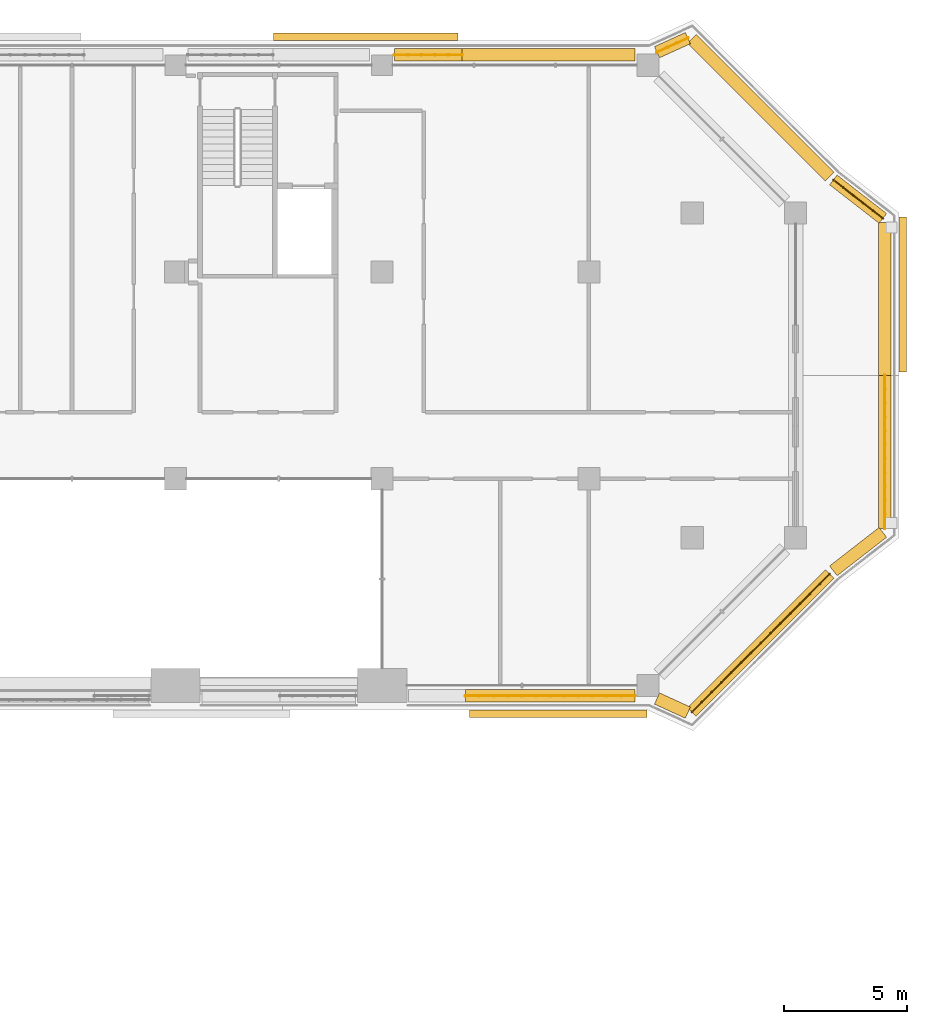
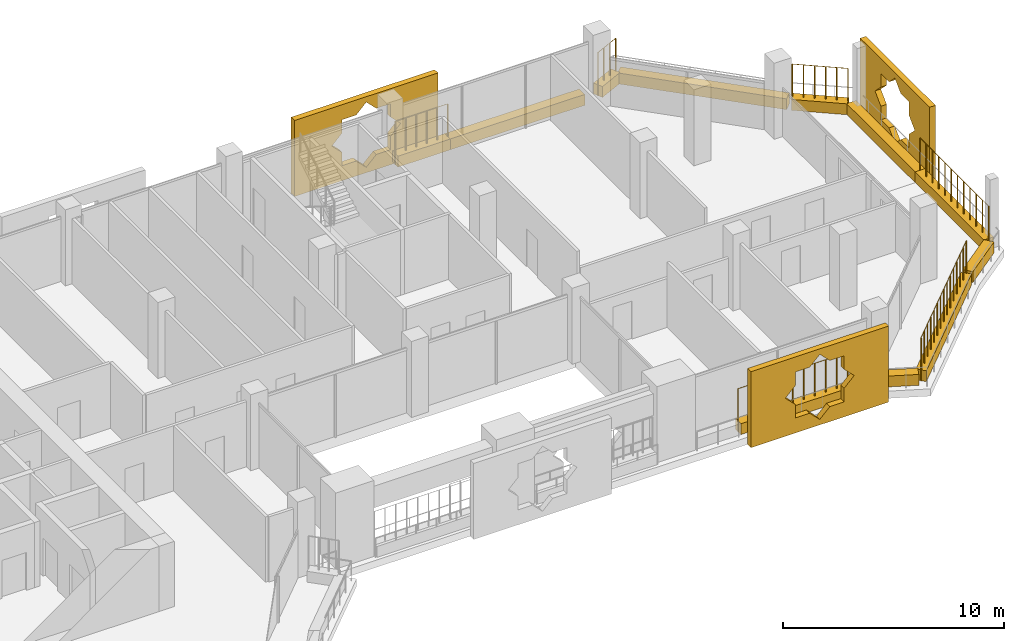
# One storey, part 23 of 23: 14 coverings, 6 railings.
"""IFC4 building model written with IfcOpenShell, lengths in metres."""

from ifc_helpers import new_model, si_unit, direction, frame, origin, origin_2d, place, context, subcontext, project, spatial, polyline, rectangle, circle, outline, extrude, material, material_profile, profile_set, type_object, element, save


model = new_model("IFC4")

# Units and contexts
model_context = context("Model", 3, precision=1e-05, world=origin(), true_north=direction((0.0, 1.0)))
body_context = subcontext(model_context, "Body", "Model", "MODEL_VIEW")
ifc_project = project(units=[si_unit("LENGTHUNIT", "METRE"), si_unit("AREAUNIT", "SQUARE_METRE"), si_unit("VOLUMEUNIT", "CUBIC_METRE"), si_unit("PLANEANGLEUNIT", "RADIAN"), si_unit("MASSUNIT", "GRAM", prefix="KILO")], contexts=[model_context])

# Site, building, storey
site_placement = place(None, origin())
site = spatial("IfcSite", under=ifc_project, at=site_placement, CompositionType="ELEMENT")
building_placement = place(site_placement, origin())
building = spatial("IfcBuilding", under=site, at=building_placement, Name="Kawkab Arch Medical Tower", CompositionType="ELEMENT")
storey_placement = place(building_placement, frame((0.0, 0.0, 222.199951171875)))
storey = spatial("IfcBuildingStorey", under=building, at=storey_placement, Name="L51", CompositionType="ELEMENT", Elevation=222.199951171875)

# Coverings
ifc_material_1 = material(Name="Bronze anodised aluminium mashrabiya panel, eight-point star pattern", Category="aluminium")
ifc_material_profile_1 = material_profile(ifc_material_1, outline(polyline([(-3.14990234375, -2.10009765625), (3.14990234375, -2.10009765625), (3.14990234375, 2.10009765625), (-3.14990234375, 2.10009765625), (-3.14990234375, -2.10009765625)]), holes=[polyline([(1.800048828125, 0.0), (1.272705078125, 0.527099609375), (1.272705078125, 1.272705078125), (0.527099609375, 1.272705078125), (0.0, 1.800048828125), (-0.527099609375, 1.272705078125), (-1.272705078125, 1.272705078125), (-1.272705078125, 0.527099609375), (-1.800048828125, 0.0), (-1.272705078125, -0.527099609375), (-1.272705078125, -1.272705078125), (-0.527099609375, -1.272705078125), (0.0, -1.800048828125), (0.527099609375, -1.272705078125), (1.272705078125, -1.272705078125), (1.272705078125, -0.527099609375), (1.800048828125, 0.0)])]), Name="Mashrabiya panel 6300x4200")
ifc_profile_set_1 = profile_set([ifc_material_profile_1], Name="Bronze anodised aluminium mashrabiya panel, eight-point star pattern")
covering_type_1 = type_object("IfcCoveringType", Name="Mashrabiya panel 6300 x 4200", PredefinedType="USERDEFINED", material=ifc_profile_set_1)
covering_1_placement = place(storey_placement, frame((71.39990234375, -9.322509765625, 1.699951171875), z_axis=(1.0, 0.0, 0.0), x_axis=(0.0, 1.0, 0.0)))
element("IfcCovering", 1, at=covering_1_placement, inside=storey, type_object=covering_type_1, Name="Mashrabiya panel L51.LOG-01-02.9", ObjectType="SCREEN", PredefinedType="USERDEFINED", context=body_context, shape_type="SweptSolid", body=[
    extrude(outline(polyline([(-3.14990234375, -2.10009765625), (3.14990234375, -2.10009765625), (3.14990234375, 2.10009765625), (-3.14990234375, 2.10009765625), (-3.14990234375, -2.10009765625)]), holes=[polyline([(1.800048828125, 0.0), (1.272705078125, 0.527099609375), (1.272705078125, 1.272705078125), (0.527099609375, 1.272705078125), (0.0, 1.800048828125), (-0.527099609375, 1.272705078125), (-1.272705078125, 1.272705078125), (-1.272705078125, 0.527099609375), (-1.800048828125, 0.0), (-1.272705078125, -0.527099609375), (-1.272705078125, -1.272705078125), (-0.527099609375, -1.272705078125), (0.0, -1.800048828125), (0.527099609375, -1.272705078125), (1.272705078125, -1.272705078125), (1.272705078125, -0.527099609375), (1.800048828125, 0.0)])]), origin(), (0.0, 0.0, 1.0), 0.300048828125),
])
ifc_material_2 = material(Name="Bronze anodised aluminium mashrabiya panel, eight-point star pattern", Category="aluminium")
ifc_material_profile_2 = material_profile(ifc_material_2, outline(polyline([(-3.60009765625, -2.10009765625), (3.60009765625, -2.10009765625), (3.60009765625, 2.10009765625), (-3.60009765625, 2.10009765625), (-3.60009765625, -2.10009765625)]), holes=[polyline([(1.800048828125, 0.0), (1.272705078125, 0.527099609375), (1.272705078125, 1.272705078125), (0.527099609375, 1.272705078125), (0.0, 1.800048828125), (-0.527099609375, 1.272705078125), (-1.272705078125, 1.272705078125), (-1.272705078125, 0.527099609375), (-1.800048828125, 0.0), (-1.272705078125, -0.527099609375), (-1.272705078125, -1.272705078125), (-0.527099609375, -1.272705078125), (0.0, -1.800048828125), (0.527099609375, -1.272705078125), (1.272705078125, -1.272705078125), (1.272705078125, -0.527099609375), (1.800048828125, 0.0)])]), Name="Mashrabiya panel 7200x4200")
ifc_profile_set_2 = profile_set([ifc_material_profile_2], Name="Bronze anodised aluminium mashrabiya panel, eight-point star pattern")
covering_type_2 = type_object("IfcCoveringType", Name="Mashrabiya panel 7200 x 4200", PredefinedType="USERDEFINED", material=ifc_profile_set_2)
covering_2_placement = place(storey_placement, frame((57.5546875, -26.199951171875, 1.699951171875), z_axis=(0.0, -1.0, 0.0), x_axis=(1.0, 0.0, 0.0)))
element("IfcCovering", 2, at=covering_2_placement, inside=storey, type_object=covering_type_2, Name="Mashrabiya panel L51.LOG-01-02.10", ObjectType="SCREEN", PredefinedType="USERDEFINED", context=body_context, shape_type="SweptSolid", body=[
    extrude(outline(polyline([(-3.60009765625, -2.10009765625), (3.60009765625, -2.10009765625), (3.60009765625, 2.10009765625), (-3.60009765625, 2.10009765625), (-3.60009765625, -2.10009765625)]), holes=[polyline([(1.800048828125, 0.0), (1.272705078125, 0.527099609375), (1.272705078125, 1.272705078125), (0.527099609375, 1.272705078125), (0.0, 1.800048828125), (-0.527099609375, 1.272705078125), (-1.272705078125, 1.272705078125), (-1.272705078125, 0.527099609375), (-1.800048828125, 0.0), (-1.272705078125, -0.527099609375), (-1.272705078125, -1.272705078125), (-0.527099609375, -1.272705078125), (0.0, -1.800048828125), (0.527099609375, -1.272705078125), (1.272705078125, -1.272705078125), (1.272705078125, -0.527099609375), (1.800048828125, 0.0)])]), origin(), (0.0, 0.0, 1.0), 0.300048828125),
])
ifc_material_3 = material(Name="Bronze anodised aluminium mashrabiya panel, eight-point star pattern", Category="aluminium")
ifc_material_profile_3 = material_profile(ifc_material_3, outline(polyline([(-3.75, -2.10009765625), (3.75, -2.10009765625), (3.75, 2.10009765625), (-3.75, 2.10009765625), (-3.75, -2.10009765625)]), holes=[polyline([(1.800048828125, 0.0), (1.272705078125, 0.527099609375), (1.272705078125, 1.272705078125), (0.527099609375, 1.272705078125), (0.0, 1.800048828125), (-0.527099609375, 1.272705078125), (-1.272705078125, 1.272705078125), (-1.272705078125, 0.527099609375), (-1.800048828125, 0.0), (-1.272705078125, -0.527099609375), (-1.272705078125, -1.272705078125), (-0.527099609375, -1.272705078125), (0.0, -1.800048828125), (0.527099609375, -1.272705078125), (1.272705078125, -1.272705078125), (1.272705078125, -0.527099609375), (1.800048828125, 0.0)])]), Name="Mashrabiya panel 7500x4200")
ifc_profile_set_3 = profile_set([ifc_material_profile_3], Name="Bronze anodised aluminium mashrabiya panel, eight-point star pattern")
covering_type_3 = type_object("IfcCoveringType", Name="Mashrabiya panel 7500 x 4200", PredefinedType="USERDEFINED", material=ifc_profile_set_3)
covering_3_placement = place(storey_placement, frame((49.726318359375, 1.0, 1.699951171875), z_axis=(0.0, 1.0, 0.0), x_axis=(-1.0, 0.0, 0.0)))
element("IfcCovering", 3, at=covering_3_placement, inside=storey, type_object=covering_type_3, Name="Mashrabiya panel L51.LOG-01-02.8", ObjectType="SCREEN", PredefinedType="USERDEFINED", context=body_context, shape_type="SweptSolid", body=[
    extrude(outline(polyline([(-3.75, -2.10009765625), (3.75, -2.10009765625), (3.75, 2.10009765625), (-3.75, 2.10009765625), (-3.75, -2.10009765625)]), holes=[polyline([(1.800048828125, 0.0), (1.272705078125, 0.527099609375), (1.272705078125, 1.272705078125), (0.527099609375, 1.272705078125), (0.0, 1.800048828125), (-0.527099609375, 1.272705078125), (-1.272705078125, 1.272705078125), (-1.272705078125, 0.527099609375), (-1.800048828125, 0.0), (-1.272705078125, -0.527099609375), (-1.272705078125, -1.272705078125), (-0.527099609375, -1.272705078125), (0.0, -1.800048828125), (0.527099609375, -1.272705078125), (1.272705078125, -1.272705078125), (1.272705078125, -0.527099609375), (1.800048828125, 0.0)])]), origin(), (0.0, 0.0, 1.0), 0.300048828125),
])
ifc_material_4 = material(Name="Planting soil in a precast trough", Category="concrete")
ifc_material_profile_4 = material_profile(ifc_material_4, rectangle(XDim=0.5, YDim=0.60009765625, at=origin_2d()), Name="Trough 500x600")
ifc_profile_set_4 = profile_set([ifc_material_profile_4], Name="Planting soil in a precast trough")
covering_type_4 = type_object("IfcCoveringType", Name="Planter trough 500 x 600", PredefinedType="USERDEFINED", material=ifc_profile_set_4)
covering_4_placement = place(storey_placement, frame((50.905029296875, 0.419921875, 0.300048828125), z_axis=(1.0, 0.0, 0.0), x_axis=(0.0, 1.0, 0.0)))
element("IfcCovering", 4, at=covering_4_placement, inside=storey, type_object=covering_type_4, Name="Planter L51.LOG-01-02.27", ObjectType="PLANTER", PredefinedType="USERDEFINED", context=body_context, shape_type="SweptSolid", body=[
    extrude(rectangle(XDim=0.5, YDim=0.60009765625, at=origin_2d()), origin(), (0.0, 0.0, 1.0), 2.739013671875),
])
covering_5_placement = place(storey_placement, frame((53.64404296875, 0.419921875, 0.300048828125), z_axis=(1.0, 0.0, 0.0), x_axis=(0.0, 1.0, 0.0)))
element("IfcCovering", 5, at=covering_5_placement, inside=storey, type_object=covering_type_4, Name="Planter L51.LOG-01-02.28", ObjectType="PLANTER", PredefinedType="USERDEFINED", context=body_context, shape_type="SweptSolid", body=[
    extrude(rectangle(XDim=0.5, YDim=0.60009765625, at=origin_2d()), origin(), (0.0, 0.0, 1.0), 7.02587890625),
])
covering_6_placement = place(storey_placement, frame((61.56689453125, 0.530029296875, 0.300048828125), z_axis=(0.909831953447, 0.41497688669, 0.0), x_axis=(-0.41497688669, 0.909831953447, 0.0)))
element("IfcCovering", 6, at=covering_6_placement, inside=storey, type_object=covering_type_4, Name="Planter L51.LOG-01-02.29", ObjectType="PLANTER", PredefinedType="USERDEFINED", context=body_context, shape_type="SweptSolid", body=[
    extrude(rectangle(XDim=0.5, YDim=0.60009765625, at=origin_2d()), origin(), (0.0, 0.0, 1.0), 1.37841796875),
])
covering_7_placement = place(storey_placement, frame((62.98291015625, 1.072998046875, 0.300048828125), z_axis=(0.707106781187, -0.707106781187, 0.0), x_axis=(0.707106781187, 0.707106781187, 0.0)))
element("IfcCovering", 7, at=covering_7_placement, inside=storey, type_object=covering_type_4, Name="Planter L51.LOG-01-02.30", ObjectType="PLANTER", PredefinedType="USERDEFINED", context=body_context, shape_type="SweptSolid", body=[
    extrude(rectangle(XDim=0.5, YDim=0.60009765625, at=origin_2d()), origin(), (0.0, 0.0, 1.0), 7.919677734375),
])
covering_8_placement = place(storey_placement, frame((68.73193359375, -4.658935546875, 0.300048828125), z_axis=(0.789274742246, -0.61404021143, 0.0), x_axis=(0.61404021143, 0.789274742246, 0.0)))
element("IfcCovering", 8, at=covering_8_placement, inside=storey, type_object=covering_type_4, Name="Planter L51.LOG-01-02.31", ObjectType="PLANTER", PredefinedType="USERDEFINED", context=body_context, shape_type="SweptSolid", body=[
    extrude(rectangle(XDim=0.5, YDim=0.60009765625, at=origin_2d()), origin(), (0.0, 0.0, 1.0), 2.54541015625),
])
covering_9_placement = place(storey_placement, frame((70.820068359375, -6.384033203125, 0.300048828125), z_axis=(0.0, -1.0, 0.0), x_axis=(1.0, 0.0, 0.0)))
element("IfcCovering", 9, at=covering_9_placement, inside=storey, type_object=covering_type_4, Name="Planter L51.LOG-01-02.32", ObjectType="PLANTER", PredefinedType="USERDEFINED", context=body_context, shape_type="SweptSolid", body=[
    extrude(rectangle(XDim=0.5, YDim=0.60009765625, at=origin_2d()), origin(), (0.0, 0.0, 1.0), 6.216064453125),
])
covering_10_placement = place(storey_placement, frame((70.820068359375, -12.60009765625, 0.300048828125), z_axis=(0.0, -1.0, 0.0), x_axis=(1.0, 0.0, 0.0)))
element("IfcCovering", 10, at=covering_10_placement, inside=storey, type_object=covering_type_4, Name="Planter L51.LOG-01-02.33", ObjectType="PLANTER", PredefinedType="USERDEFINED", context=body_context, shape_type="SweptSolid", body=[
    extrude(rectangle(XDim=0.5, YDim=0.60009765625, at=origin_2d()), origin(), (0.0, 0.0, 1.0), 6.2158203125),
])
covering_11_placement = place(storey_placement, frame((70.740966796875, -18.97802734375, 0.300048828125), z_axis=(-0.789274742246, -0.61404021143, 0.0), x_axis=(0.61404021143, -0.789274742246, 0.0)))
element("IfcCovering", 11, at=covering_11_placement, inside=storey, type_object=covering_type_4, Name="Planter L51.LOG-01-02.34", ObjectType="PLANTER", PredefinedType="USERDEFINED", context=body_context, shape_type="SweptSolid", body=[
    extrude(rectangle(XDim=0.5, YDim=0.60009765625, at=origin_2d()), origin(), (0.0, 0.0, 1.0), 2.54541015625),
])
covering_12_placement = place(storey_placement, frame((68.5830078125, -20.673095703125, 0.300048828125), z_axis=(-0.70712219479, -0.707091367247, 0.0), x_axis=(0.707091367247, -0.70712219479, 0.0)))
element("IfcCovering", 12, at=covering_12_placement, inside=storey, type_object=covering_type_4, Name="Planter L51.LOG-01-02.35", ObjectType="PLANTER", PredefinedType="USERDEFINED", context=body_context, shape_type="SweptSolid", body=[
    extrude(rectangle(XDim=0.5, YDim=0.60009765625, at=origin_2d()), origin(), (0.0, 0.0, 1.0), 7.919677734375),
])
covering_13_placement = place(storey_placement, frame((62.821044921875, -26.302001953125, 0.300048828125), z_axis=(-0.909831953447, 0.41497688669, 0.0), x_axis=(-0.41497688669, -0.909831953447, 0.0)))
element("IfcCovering", 13, at=covering_13_placement, inside=storey, type_object=covering_type_4, Name="Planter L51.LOG-01-02.36", ObjectType="PLANTER", PredefinedType="USERDEFINED", context=body_context, shape_type="SweptSolid", body=[
    extrude(rectangle(XDim=0.5, YDim=0.60009765625, at=origin_2d()), origin(), (0.0, 0.0, 1.0), 1.37841796875),
])
covering_14_placement = place(storey_placement, frame((60.669921875, -25.6201171875, 0.300048828125), z_axis=(-1.0, 0.0, 0.0), x_axis=(0.0, -1.0, 0.0)))
element("IfcCovering", 14, at=covering_14_placement, inside=storey, type_object=covering_type_4, Name="Planter L51.LOG-01-02.37", ObjectType="PLANTER", PredefinedType="USERDEFINED", context=body_context, shape_type="SweptSolid", body=[
    extrude(rectangle(XDim=0.5, YDim=0.60009765625, at=origin_2d()), origin(), (0.0, 0.0, 1.0), 6.87890625),
])

# Railings
ifc_material_5 = material(Name="Bronze anodised aluminium trellis for climbing plants", Category="aluminium")
railing_type = type_object("IfcRailingType", Name="Planting trellis 2400", PredefinedType="USERDEFINED", material=ifc_material_5)
railing_1_placement = place(storey_placement, frame((50.905029296875, 0.419921875, 0.0)))
element("IfcRailing", 15, at=railing_1_placement, inside=storey, type_object=railing_type, Name="Planting trellis L51.LOG-01-02.27", ObjectType="TRELLIS", PredefinedType="USERDEFINED", context=body_context, shape_type="SweptSolid", body=[
    extrude(circle(Radius=0.01513671875, at=origin_2d()), frame((0.0, 0.0, 2.384765625), z_axis=(1.0, 0.0, 0.0), x_axis=(0.0, 1.0, 0.0)), (0.0, 0.0, 1.0), 2.739013671875),
    extrude(circle(Radius=0.030029296875, at=origin_2d()), origin(), (0.0, 0.0, 1.0), 2.369873046875),
    extrude(circle(Radius=0.030029296875, at=origin_2d()), frame((0.5478515625, 0.0, 0.0)), (0.0, 0.0, 1.0), 2.369873046875),
    extrude(circle(Radius=0.030029296875, at=origin_2d()), frame((1.095703125, 0.0, 0.0)), (0.0, 0.0, 1.0), 2.369873046875),
    extrude(circle(Radius=0.030029296875, at=origin_2d()), frame((1.643310546875, 0.0, 0.0)), (0.0, 0.0, 1.0), 2.369873046875),
    extrude(circle(Radius=0.030029296875, at=origin_2d()), frame((2.191162109375, 0.0, 0.0)), (0.0, 0.0, 1.0), 2.369873046875),
    extrude(circle(Radius=0.030029296875, at=origin_2d()), frame((2.739013671875, 0.0, 0.0)), (0.0, 0.0, 1.0), 2.369873046875),
])
railing_2_placement = place(storey_placement, frame((61.56689453125, 0.530029296875, 0.0)))
element("IfcRailing", 16, at=railing_2_placement, inside=storey, type_object=railing_type, Name="Planting trellis L51.LOG-01-02.29", ObjectType="TRELLIS", PredefinedType="USERDEFINED", context=body_context, shape_type="SweptSolid", body=[
    extrude(circle(Radius=0.01513671875, at=origin_2d()), frame((0.0, 0.0, 2.384765625), z_axis=(0.909831953447, 0.41497688669, 0.0), x_axis=(-0.41497688669, 0.909831953447, 0.0)), (0.0, 0.0, 1.0), 1.37841796875),
    extrude(circle(Radius=0.030029296875, at=origin_2d()), origin(), (0.0, 0.0, 1.0), 2.369873046875),
    extrude(circle(Radius=0.030029296875, at=origin_2d()), frame((0.41796875, 0.190673828125, 0.0)), (0.0, 0.0, 1.0), 2.369873046875),
    extrude(circle(Radius=0.030029296875, at=origin_2d()), frame((0.836181640625, 0.38134765625, 0.0)), (0.0, 0.0, 1.0), 2.369873046875),
    extrude(circle(Radius=0.030029296875, at=origin_2d()), frame((1.254150390625, 0.572021484375, 0.0)), (0.0, 0.0, 1.0), 2.369873046875),
])
railing_3_placement = place(storey_placement, frame((68.73193359375, -4.658935546875, 0.0)))
element("IfcRailing", 17, at=railing_3_placement, inside=storey, type_object=railing_type, Name="Planting trellis L51.LOG-01-02.31", ObjectType="TRELLIS", PredefinedType="USERDEFINED", context=body_context, shape_type="SweptSolid", body=[
    extrude(circle(Radius=0.01513671875, at=origin_2d()), frame((0.0, 0.0, 2.384765625), z_axis=(0.789274742246, -0.61404021143, 0.0), x_axis=(0.61404021143, 0.789274742246, 0.0)), (0.0, 0.0, 1.0), 2.54541015625),
    extrude(circle(Radius=0.030029296875, at=origin_2d()), origin(), (0.0, 0.0, 1.0), 2.369873046875),
    extrude(circle(Radius=0.030029296875, at=origin_2d()), frame((0.40185546875, -0.3125, 0.0)), (0.0, 0.0, 1.0), 2.369873046875),
    extrude(circle(Radius=0.030029296875, at=origin_2d()), frame((0.8037109375, -0.625244140625, 0.0)), (0.0, 0.0, 1.0), 2.369873046875),
    extrude(circle(Radius=0.030029296875, at=origin_2d()), frame((1.205322265625, -0.937744140625, 0.0)), (0.0, 0.0, 1.0), 2.369873046875),
    extrude(circle(Radius=0.030029296875, at=origin_2d()), frame((1.607177734375, -1.25048828125, 0.0)), (0.0, 0.0, 1.0), 2.369873046875),
    extrude(circle(Radius=0.030029296875, at=origin_2d()), frame((2.009033203125, -1.56298828125, 0.0)), (0.0, 0.0, 1.0), 2.369873046875),
])
railing_4_placement = place(storey_placement, frame((70.820068359375, -12.60009765625, 0.0)))
element("IfcRailing", 18, at=railing_4_placement, inside=storey, type_object=railing_type, Name="Planting trellis L51.LOG-01-02.33", ObjectType="TRELLIS", PredefinedType="USERDEFINED", context=body_context, shape_type="SweptSolid", body=[
    extrude(circle(Radius=0.01513671875, at=origin_2d()), frame((0.0, 0.0, 2.384765625), z_axis=(0.0, -1.0, 0.0), x_axis=(1.0, 0.0, 0.0)), (0.0, 0.0, 1.0), 6.2158203125),
    extrude(circle(Radius=0.030029296875, at=origin_2d()), origin(), (0.0, 0.0, 1.0), 2.369873046875),
    extrude(circle(Radius=0.030029296875, at=origin_2d()), frame((0.0, -0.565185546875, 0.0)), (0.0, 0.0, 1.0), 2.369873046875),
    extrude(circle(Radius=0.030029296875, at=origin_2d()), frame((0.0, -1.130126953125, 0.0)), (0.0, 0.0, 1.0), 2.369873046875),
    extrude(circle(Radius=0.030029296875, at=origin_2d()), frame((0.0, -1.6953125, 0.0)), (0.0, 0.0, 1.0), 2.369873046875),
    extrude(circle(Radius=0.030029296875, at=origin_2d()), frame((0.0, -2.26025390625, 0.0)), (0.0, 0.0, 1.0), 2.369873046875),
    extrude(circle(Radius=0.030029296875, at=origin_2d()), frame((0.0, -2.825439453125, 0.0)), (0.0, 0.0, 1.0), 2.369873046875),
    extrude(circle(Radius=0.030029296875, at=origin_2d()), frame((0.0, -3.390380859375, 0.0)), (0.0, 0.0, 1.0), 2.369873046875),
    extrude(circle(Radius=0.030029296875, at=origin_2d()), frame((0.0, -3.95556640625, 0.0)), (0.0, 0.0, 1.0), 2.369873046875),
    extrude(circle(Radius=0.030029296875, at=origin_2d()), frame((0.0, -4.5205078125, 0.0)), (0.0, 0.0, 1.0), 2.369873046875),
    extrude(circle(Radius=0.030029296875, at=origin_2d()), frame((0.0, -5.085693359375, 0.0)), (0.0, 0.0, 1.0), 2.369873046875),
    extrude(circle(Radius=0.030029296875, at=origin_2d()), frame((0.0, -5.650634765625, 0.0)), (0.0, 0.0, 1.0), 2.369873046875),
    extrude(circle(Radius=0.030029296875, at=origin_2d()), frame((0.0, -6.2158203125, 0.0)), (0.0, 0.0, 1.0), 2.369873046875),
])
railing_5_placement = place(storey_placement, frame((68.5830078125, -20.673095703125, 0.0)))
element("IfcRailing", 19, at=railing_5_placement, inside=storey, type_object=railing_type, Name="Planting trellis L51.LOG-01-02.35", ObjectType="TRELLIS", PredefinedType="USERDEFINED", context=body_context, shape_type="SweptSolid", body=[
    extrude(circle(Radius=0.01513671875, at=origin_2d()), frame((0.0, 0.0, 2.384765625), z_axis=(-0.70712219479, -0.707091367247, 0.0), x_axis=(0.707091367247, -0.70712219479, 0.0)), (0.0, 0.0, 1.0), 7.919677734375),
    extrude(circle(Radius=0.030029296875, at=origin_2d()), origin(), (0.0, 0.0, 1.0), 2.369873046875),
    extrude(circle(Radius=0.030029296875, at=origin_2d()), frame((-0.39990234375, -0.39990234375, 0.0)), (0.0, 0.0, 1.0), 2.369873046875),
    extrude(circle(Radius=0.030029296875, at=origin_2d()), frame((-0.800048828125, -0.800048828125, 0.0)), (0.0, 0.0, 1.0), 2.369873046875),
    extrude(circle(Radius=0.030029296875, at=origin_2d()), frame((-1.199951171875, -1.199951171875, 0.0)), (0.0, 0.0, 1.0), 2.369873046875),
    extrude(circle(Radius=0.030029296875, at=origin_2d()), frame((-1.60009765625, -1.599853515625, 0.0)), (0.0, 0.0, 1.0), 2.369873046875),
    extrude(circle(Radius=0.030029296875, at=origin_2d()), frame((-2.0, -2.0, 0.0)), (0.0, 0.0, 1.0), 2.369873046875),
    extrude(circle(Radius=0.030029296875, at=origin_2d()), frame((-2.400146484375, -2.39990234375, 0.0)), (0.0, 0.0, 1.0), 2.369873046875),
    extrude(circle(Radius=0.030029296875, at=origin_2d()), frame((-2.800048828125, -2.7998046875, 0.0)), (0.0, 0.0, 1.0), 2.369873046875),
    extrude(circle(Radius=0.030029296875, at=origin_2d()), frame((-3.199951171875, -3.199951171875, 0.0)), (0.0, 0.0, 1.0), 2.369873046875),
    extrude(circle(Radius=0.030029296875, at=origin_2d()), frame((-3.60009765625, -3.599853515625, 0.0)), (0.0, 0.0, 1.0), 2.369873046875),
    extrude(circle(Radius=0.030029296875, at=origin_2d()), frame((-4.0, -4.0, 0.0)), (0.0, 0.0, 1.0), 2.369873046875),
    extrude(circle(Radius=0.030029296875, at=origin_2d()), frame((-4.400146484375, -4.39990234375, 0.0)), (0.0, 0.0, 1.0), 2.369873046875),
    extrude(circle(Radius=0.030029296875, at=origin_2d()), frame((-4.800048828125, -4.7998046875, 0.0)), (0.0, 0.0, 1.0), 2.369873046875),
    extrude(circle(Radius=0.030029296875, at=origin_2d()), frame((-5.2001953125, -5.199951171875, 0.0)), (0.0, 0.0, 1.0), 2.369873046875),
    extrude(circle(Radius=0.030029296875, at=origin_2d()), frame((-5.60009765625, -5.599853515625, 0.0)), (0.0, 0.0, 1.0), 2.369873046875),
])
railing_6_placement = place(storey_placement, frame((60.669921875, -25.6201171875, 0.0)))
element("IfcRailing", 20, at=railing_6_placement, inside=storey, type_object=railing_type, Name="Planting trellis L51.LOG-01-02.37", ObjectType="TRELLIS", PredefinedType="USERDEFINED", context=body_context, shape_type="SweptSolid", body=[
    extrude(circle(Radius=0.01513671875, at=origin_2d()), frame((0.0, 0.0, 2.384765625), z_axis=(-1.0, 0.0, 0.0), x_axis=(0.0, -1.0, 0.0)), (0.0, 0.0, 1.0), 6.87890625),
    extrude(circle(Radius=0.030029296875, at=origin_2d()), origin(), (0.0, 0.0, 1.0), 2.369873046875),
    extrude(circle(Radius=0.030029296875, at=origin_2d()), frame((-0.5732421875, 0.0, 0.0)), (0.0, 0.0, 1.0), 2.369873046875),
    extrude(circle(Radius=0.030029296875, at=origin_2d()), frame((-1.146484375, 0.0, 0.0)), (0.0, 0.0, 1.0), 2.369873046875),
    extrude(circle(Radius=0.030029296875, at=origin_2d()), frame((-1.7197265625, 0.0, 0.0)), (0.0, 0.0, 1.0), 2.369873046875),
    extrude(circle(Radius=0.030029296875, at=origin_2d()), frame((-2.29296875, 0.0, 0.0)), (0.0, 0.0, 1.0), 2.369873046875),
    extrude(circle(Radius=0.030029296875, at=origin_2d()), frame((-2.8662109375, 0.0, 0.0)), (0.0, 0.0, 1.0), 2.369873046875),
    extrude(circle(Radius=0.030029296875, at=origin_2d()), frame((-3.439453125, 0.0, 0.0)), (0.0, 0.0, 1.0), 2.369873046875),
    extrude(circle(Radius=0.030029296875, at=origin_2d()), frame((-4.0126953125, 0.0, 0.0)), (0.0, 0.0, 1.0), 2.369873046875),
    extrude(circle(Radius=0.030029296875, at=origin_2d()), frame((-4.5859375, 0.0, 0.0)), (0.0, 0.0, 1.0), 2.369873046875),
    extrude(circle(Radius=0.030029296875, at=origin_2d()), frame((-5.1591796875, 0.0, 0.0)), (0.0, 0.0, 1.0), 2.369873046875),
    extrude(circle(Radius=0.030029296875, at=origin_2d()), frame((-5.732421875, 0.0, 0.0)), (0.0, 0.0, 1.0), 2.369873046875),
    extrude(circle(Radius=0.030029296875, at=origin_2d()), frame((-6.3056640625, 0.0, 0.0)), (0.0, 0.0, 1.0), 2.369873046875),
    extrude(circle(Radius=0.030029296875, at=origin_2d()), frame((-6.87890625, 0.0, 0.0)), (0.0, 0.0, 1.0), 2.369873046875),
])

save(model, "model.ifc")
